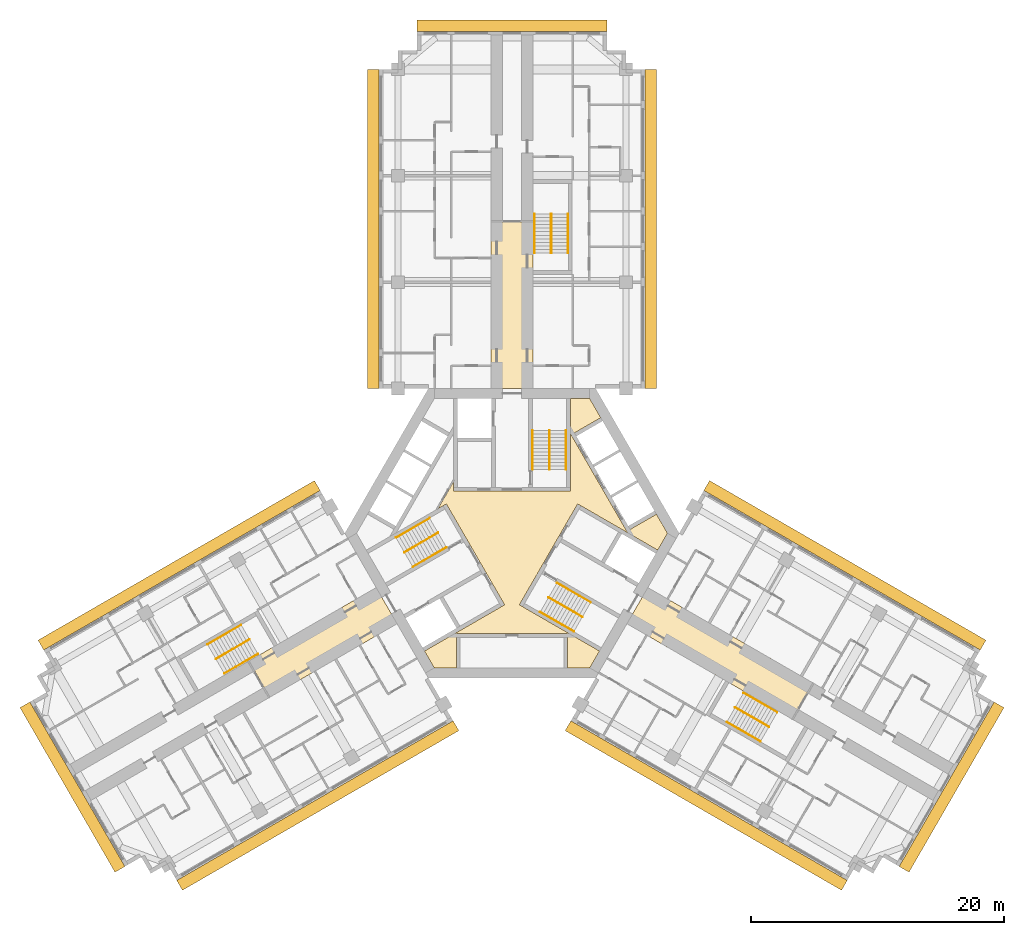
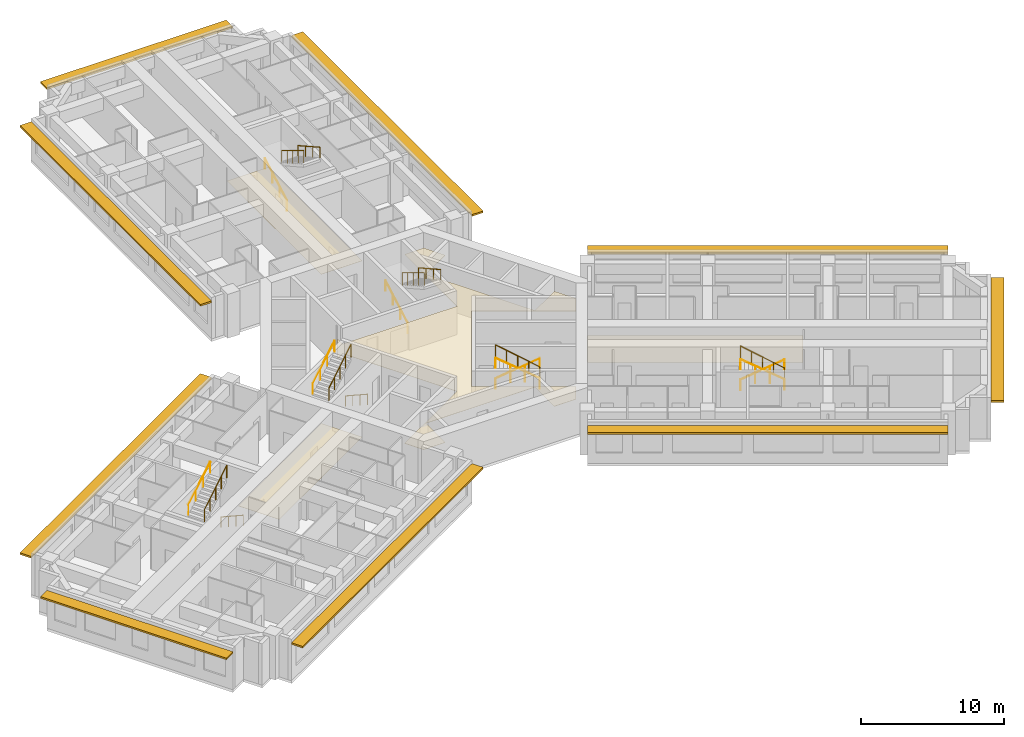
# One storey, part 12 of 12: 18 railings, 4 coverings, 3 shading devices.
"""IFC4 building model written with IfcOpenShell, lengths in metres."""

from ifc_helpers import new_model, si_unit, direction, frame, origin, origin_2d, place, context, subcontext, project, spatial, polyline, rectangle, circle, outline, extrude, material, layer, layer_set, type_object, element, save


model = new_model("IFC4")

# Units and contexts
model_context = context("Model", 3, precision=1e-05, world=origin(), true_north=direction((0.0, 1.0)))
body_context = subcontext(model_context, "Body", "Model", "MODEL_VIEW")
ifc_project = project(units=[si_unit("LENGTHUNIT", "METRE"), si_unit("AREAUNIT", "SQUARE_METRE"), si_unit("VOLUMEUNIT", "CUBIC_METRE"), si_unit("PLANEANGLEUNIT", "RADIAN"), si_unit("MASSUNIT", "GRAM", prefix="KILO")], contexts=[model_context])

# Site, building, storey
site_placement = place(None, origin())
site = spatial("IfcSite", under=ifc_project, at=site_placement, CompositionType="ELEMENT")
building_placement = place(site_placement, origin())
building = spatial("IfcBuilding", under=site, at=building_placement, Name="Impinga Residences", CompositionType="ELEMENT")
storey_placement = place(building_placement, frame((0.0, 0.0, 166.0)))
storey = spatial("IfcBuildingStorey", under=building, at=storey_placement, Name="L41", CompositionType="ELEMENT", Elevation=166.0)

# Coverings
ifc_material_1 = material(Name="Plasterboard 15 mm on steel hangers", Category="steel")
ifc_layer_1 = layer(ifc_material_1, 0.014892578125)
ifc_layer_set_1 = layer_set([ifc_layer_1], Name="Plasterboard 15 mm on steel hangers")
covering_type_1 = type_object("IfcCoveringType", Name="CL1 corridor ceiling, 15 mm plasterboard on hangers", PredefinedType="CEILING", material=ifc_layer_set_1)
covering_1_placement = place(storey_placement, frame((0.0, 0.0, 2.39990234375)))
element("IfcCovering", 1, at=covering_1_placement, inside=storey, type_object=covering_type_1, Name="Corridor ceiling CL1 L41-N00", PredefinedType="CEILING", context=body_context, shape_type="SweptSolid", body=[
    extrude(outline(polyline([(-1.64990234375, 11.431640625), (1.64990234375, 11.431640625), (1.64990234375, 24.58154296875), (-1.64990234375, 24.58154296875), (-1.64990234375, 11.431640625)])), origin(), (0.0, 0.0, 1.0), 0.01513671875),
])
covering_2_placement = place(storey_placement, frame((0.0, 0.0, 2.39990234375)))
element("IfcCovering", 2, at=covering_2_placement, inside=storey, type_object=covering_type_1, Name="Corridor ceiling CL1 L41-W00", PredefinedType="CEILING", context=body_context, shape_type="SweptSolid", body=[
    extrude(outline(polyline([(-10.72509765625, -4.286865234375), (-9.074951171875, -7.144775390625), (-19.121337890625, -12.94482421875), (-20.771240234375, -10.087158203125), (-10.72509765625, -4.286865234375)])), origin(), (0.0, 0.0, 1.0), 0.01513671875),
])
covering_3_placement = place(storey_placement, frame((0.0, 0.0, 2.39990234375)))
element("IfcCovering", 3, at=covering_3_placement, inside=storey, type_object=covering_type_1, Name="Corridor ceiling CL1 L41-E00", PredefinedType="CEILING", context=body_context, shape_type="SweptSolid", body=[
    extrude(outline(polyline([(9.074951171875, -7.144775390625), (10.72509765625, -4.286865234375), (23.759033203125, -11.81201171875), (22.109130859375, -14.669921875), (9.074951171875, -7.144775390625)])), origin(), (0.0, 0.0, 1.0), 0.01513671875),
])
ifc_material_2 = material(Name="Mineral fibre tiles 20 mm on exposed grid", Category="mineral fibre")
ifc_layer_2 = layer(ifc_material_2, 0.02001953125)
ifc_layer_set_2 = layer_set([ifc_layer_2], Name="CL2 lift lobby ceiling, 20 mm mineral fibre tiles")
covering_type_2 = type_object("IfcCoveringType", Name="CL2 lift lobby ceiling, 20 mm mineral fibre tiles", PredefinedType="CEILING", material=ifc_layer_set_2)
covering_4_placement = place(storey_placement, frame((0.0, 0.0, 2.39990234375)))
element("IfcCovering", 4, at=covering_4_placement, inside=storey, type_object=covering_type_2, Name="Lift lobby ceiling CL2 L41-C01", PredefinedType="CEILING", context=body_context, shape_type="SweptSolid", body=[
    extrude(outline(polyline([(5.183837890625, 2.318603515625), (0.583984375, -5.648681640625), (6.9072265625, -9.299560546875), (6.13818359375, -10.631591796875), (4.39990234375, -10.631591796875), (4.39990234375, -7.931640625), (-4.39990234375, -7.931640625), (-4.39990234375, -10.631591796875), (-6.13818359375, -10.631591796875), (-6.9072265625, -9.299560546875), (-0.583984375, -5.648681640625), (-5.183837890625, 2.318603515625), (-5.846923828125, 1.935791015625), (-4.60009765625, 4.095703125), (-4.60009765625, 3.330078125), (4.60009765625, 3.330078125), (4.60009765625, 10.631591796875), (6.13818359375, 10.631591796875), (7.007080078125, 9.126220703125), (4.6689453125, 7.7763671875), (9.06884765625, 0.1552734375), (11.4072265625, 1.50537109375), (12.276123046875, 0.0), (11.507080078125, -1.33203125), (5.183837890625, 2.318603515625)])), origin(), (0.0, 0.0, 1.0), 0.02001953125),
])

# Railings
ifc_material_3 = material(Name="Steel guard, powder coated", Category="steel")
railing_type_1 = type_object("IfcRailingType", Name="GR1 stair guard 1100", PredefinedType="GUARDRAIL", material=ifc_material_3)
railing_1_placement = place(storey_placement, frame((2.949951171875, 8.110107421875, 1.875)))
element("IfcRailing", 5, at=railing_1_placement, inside=storey, type_object=railing_type_1, Name="Stair guard GR1 ST1 L41", PredefinedType="GUARDRAIL", context=body_context, shape_type="SweptSolid", body=[
    extrude(circle(Radius=0.02392578125, at=origin_2d()), frame((0.0, 0.0, 1.076171875), z_axis=(0.0, -0.854177636135, 0.519981313056), x_axis=(1.0, 0.0, 0.0)), (0.0, 0.0, 1.0), 3.60595703125),
    extrude(circle(Radius=0.02099609375, at=origin_2d()), origin(), (0.0, 0.0, 1.0), 1.052001953125),
    extrude(circle(Radius=0.02099609375, at=origin_2d()), frame((0.0, -0.77001953125, 0.46875)), (0.0, 0.0, 1.0), 1.052001953125),
    extrude(circle(Radius=0.02099609375, at=origin_2d()), frame((0.0, -1.5400390625, 0.9375)), (0.0, 0.0, 1.0), 1.052001953125),
    extrude(circle(Radius=0.02099609375, at=origin_2d()), frame((0.0, -2.31005859375, 1.40625)), (0.0, 0.0, 1.0), 1.052001953125),
    extrude(circle(Radius=0.02099609375, at=origin_2d()), frame((0.0, -3.080078125, 1.875)), (0.0, 0.0, 1.0), 1.052001953125),
])
railing_2_placement = place(storey_placement, frame((-8.49853515625, -1.500244140625, 1.875)))
element("IfcRailing", 6, at=railing_2_placement, inside=storey, type_object=railing_type_1, Name="Stair guard GR1 ST2 L41", PredefinedType="GUARDRAIL", context=body_context, shape_type="SweptSolid", body=[
    extrude(circle(Radius=0.02392578125, at=origin_2d()), frame((0.0, 0.0, 1.076171875), z_axis=(0.739746383972, 0.427084037168, 0.519975492303), x_axis=(-0.499992328818, 0.866029832698, 0.0)), (0.0, 0.0, 1.0), 3.60595703125),
    extrude(circle(Radius=0.02099609375, at=origin_2d()), origin(), (0.0, 0.0, 1.0), 1.052001953125),
    extrude(circle(Radius=0.02099609375, at=origin_2d()), frame((0.6669921875, 0.385009765625, 0.46875)), (0.0, 0.0, 1.0), 1.052001953125),
    extrude(circle(Radius=0.02099609375, at=origin_2d()), frame((1.333740234375, 0.77001953125, 0.9375)), (0.0, 0.0, 1.0), 1.052001953125),
    extrude(circle(Radius=0.02099609375, at=origin_2d()), frame((2.00048828125, 1.155029296875, 1.40625)), (0.0, 0.0, 1.0), 1.052001953125),
    extrude(circle(Radius=0.02099609375, at=origin_2d()), frame((2.66748046875, 1.5400390625, 1.875)), (0.0, 0.0, 1.0), 1.052001953125),
])
railing_3_placement = place(storey_placement, frame((5.548583984375, -6.60986328125, 1.875)))
element("IfcRailing", 7, at=railing_3_placement, inside=storey, type_object=railing_type_1, Name="Stair guard GR1 ST3 L41", PredefinedType="GUARDRAIL", context=body_context, shape_type="SweptSolid", body=[
    extrude(circle(Radius=0.02392578125, at=origin_2d()), frame((0.0, 0.0, 1.076171875), z_axis=(-0.739746383972, 0.427084037168, 0.519975492303), x_axis=(-0.499992328818, -0.866029832698, 0.0)), (0.0, 0.0, 1.0), 3.60595703125),
    extrude(circle(Radius=0.02099609375, at=origin_2d()), origin(), (0.0, 0.0, 1.0), 1.052001953125),
    extrude(circle(Radius=0.02099609375, at=origin_2d()), frame((-0.6669921875, 0.385009765625, 0.46875)), (0.0, 0.0, 1.0), 1.052001953125),
    extrude(circle(Radius=0.02099609375, at=origin_2d()), frame((-1.333740234375, 0.77001953125, 0.9375)), (0.0, 0.0, 1.0), 1.052001953125),
    extrude(circle(Radius=0.02099609375, at=origin_2d()), frame((-2.00048828125, 1.155029296875, 1.40625)), (0.0, 0.0, 1.0), 1.052001953125),
    extrude(circle(Radius=0.02099609375, at=origin_2d()), frame((-2.66748046875, 1.5400390625, 1.875)), (0.0, 0.0, 1.0), 1.052001953125),
])
railing_4_placement = place(storey_placement, frame((3.10009765625, 25.21142578125, 1.875)))
element("IfcRailing", 8, at=railing_4_placement, inside=storey, type_object=railing_type_1, Name="Stair guard GR1 WS1 L41", PredefinedType="GUARDRAIL", context=body_context, shape_type="SweptSolid", body=[
    extrude(circle(Radius=0.02392578125, at=origin_2d()), frame((0.0, 0.0, 1.076171875), z_axis=(0.0, -0.854159328187, 0.520011386482), x_axis=(1.0, 0.0, 0.0)), (0.0, 0.0, 1.0), 3.605712890625),
    extrude(circle(Radius=0.02099609375, at=origin_2d()), origin(), (0.0, 0.0, 1.0), 1.052001953125),
    extrude(circle(Radius=0.02099609375, at=origin_2d()), frame((0.0, -0.77001953125, 0.46875)), (0.0, 0.0, 1.0), 1.052001953125),
    extrude(circle(Radius=0.02099609375, at=origin_2d()), frame((0.0, -1.5400390625, 0.9375)), (0.0, 0.0, 1.0), 1.052001953125),
    extrude(circle(Radius=0.02099609375, at=origin_2d()), frame((0.0, -2.309814453125, 1.40625)), (0.0, 0.0, 1.0), 1.052001953125),
    extrude(circle(Radius=0.02099609375, at=origin_2d()), frame((0.0, -3.079833984375, 1.875)), (0.0, 0.0, 1.0), 1.052001953125),
])
railing_5_placement = place(storey_placement, frame((-23.3837890625, -9.921142578125, 1.875)))
element("IfcRailing", 9, at=railing_5_placement, inside=storey, type_object=railing_type_1, Name="Stair guard GR1 WS2 L41", PredefinedType="GUARDRAIL", context=body_context, shape_type="SweptSolid", body=[
    extrude(circle(Radius=0.02392578125, at=origin_2d()), frame((0.0, 0.0, 1.076171875), z_axis=(0.739715726454, 0.427105428144, 0.52000153585), x_axis=(-0.500026652407, 0.866010015463, 0.0)), (0.0, 0.0, 1.0), 3.605712890625),
    extrude(circle(Radius=0.02099609375, at=origin_2d()), origin(), (0.0, 0.0, 1.0), 1.052001953125),
    extrude(circle(Radius=0.02099609375, at=origin_2d()), frame((0.666748046875, 0.385009765625, 0.46875)), (0.0, 0.0, 1.0), 1.052001953125),
    extrude(circle(Radius=0.02099609375, at=origin_2d()), frame((1.33349609375, 0.77001953125, 0.9375)), (0.0, 0.0, 1.0), 1.052001953125),
    extrude(circle(Radius=0.02099609375, at=origin_2d()), frame((2.00048828125, 1.155029296875, 1.40625)), (0.0, 0.0, 1.0), 1.052001953125),
    extrude(circle(Radius=0.02099609375, at=origin_2d()), frame((2.667236328125, 1.5400390625, 1.875)), (0.0, 0.0, 1.0), 1.052001953125),
])
railing_6_placement = place(storey_placement, frame((20.283935546875, -15.29052734375, 1.875)))
element("IfcRailing", 10, at=railing_6_placement, inside=storey, type_object=railing_type_1, Name="Stair guard GR1 WS3 L41", PredefinedType="GUARDRAIL", context=body_context, shape_type="SweptSolid", body=[
    extrude(circle(Radius=0.02392578125, at=origin_2d()), frame((0.0, 0.0, 1.076171875), z_axis=(-0.739746383972, 0.427084037168, 0.519975492303), x_axis=(-0.499992328818, -0.866029832698, 0.0)), (0.0, 0.0, 1.0), 3.60595703125),
    extrude(circle(Radius=0.02099609375, at=origin_2d()), origin(), (0.0, 0.0, 1.0), 1.052001953125),
    extrude(circle(Radius=0.02099609375, at=origin_2d()), frame((-0.6669921875, 0.385009765625, 0.46875)), (0.0, 0.0, 1.0), 1.052001953125),
    extrude(circle(Radius=0.02099609375, at=origin_2d()), frame((-1.333740234375, 0.77001953125, 0.9375)), (0.0, 0.0, 1.0), 1.052001953125),
    extrude(circle(Radius=0.02099609375, at=origin_2d()), frame((-2.00048828125, 1.155029296875, 1.40625)), (0.0, 0.0, 1.0), 1.052001953125),
    extrude(circle(Radius=0.02099609375, at=origin_2d()), frame((-2.66748046875, 1.5400390625, 1.875)), (0.0, 0.0, 1.0), 1.052001953125),
])
ifc_material_4 = material(Name="Steel handrail tube 42 mm, powder coated", Category="steel")
railing_type_2 = type_object("IfcRailingType", Name="HR1 stair handrail, 42 mm steel tube, 900 above the pitch line", PredefinedType="HANDRAIL", material=ifc_material_4)
railing_7_placement = place(storey_placement, frame((1.62109375, 5.030029296875, 0.15625)))
element("IfcRailing", 11, at=railing_7_placement, inside=storey, type_object=railing_type_2, Name="Stair handrail HR1 ST1 L41", PredefinedType="HANDRAIL", context=body_context, shape_type="SweptSolid", body=[
    extrude(circle(Radius=0.02099609375, at=origin_2d()), frame((0.0, 0.0, 0.87890625), z_axis=(0.0, 0.873241540666, 0.487287606713), x_axis=(-1.0, 0.0, 0.0)), (0.0, 0.0, 1.0), 3.527099609375),
    extrude(circle(Radius=0.012451171875, at=origin_2d()), origin(), (0.0, 0.0, 1.0), 0.85791015625),
    extrude(circle(Radius=0.012451171875, at=origin_2d()), frame((0.0, 1.026611328125, 0.572998046875)), (0.0, 0.0, 1.0), 0.85791015625),
    extrude(circle(Radius=0.012451171875, at=origin_2d()), frame((0.0, 2.053466796875, 1.145751953125)), (0.0, 0.0, 1.0), 0.85791015625),
    extrude(circle(Radius=0.012451171875, at=origin_2d()), frame((0.0, 3.080078125, 1.71875)), (0.0, 0.0, 1.0), 0.85791015625),
])
railing_8_placement = place(storey_placement, frame((4.279052734375, 8.110107421875, 2.03125)))
element("IfcRailing", 12, at=railing_8_placement, inside=storey, type_object=railing_type_2, Name="Stair handrail HR1 ST1 L41", PredefinedType="HANDRAIL", context=body_context, shape_type="SweptSolid", body=[
    extrude(circle(Radius=0.02099609375, at=origin_2d()), frame((0.0, 0.0, 0.87890625), z_axis=(0.0, -0.873241540666, 0.487287606713), x_axis=(1.0, 0.0, 0.0)), (0.0, 0.0, 1.0), 3.527099609375),
    extrude(circle(Radius=0.012451171875, at=origin_2d()), origin(), (0.0, 0.0, 1.0), 0.85791015625),
    extrude(circle(Radius=0.012451171875, at=origin_2d()), frame((0.0, -1.026611328125, 0.572998046875)), (0.0, 0.0, 1.0), 0.85791015625),
    extrude(circle(Radius=0.012451171875, at=origin_2d()), frame((0.0, -2.053466796875, 1.145751953125)), (0.0, 0.0, 1.0), 0.85791015625),
    extrude(circle(Radius=0.012451171875, at=origin_2d()), frame((0.0, -3.080078125, 1.71875)), (0.0, 0.0, 1.0), 0.85791015625),
])
railing_9_placement = place(storey_placement, frame((-5.16650390625, -1.111083984375, 0.15625)))
element("IfcRailing", 13, at=railing_9_placement, inside=storey, type_object=railing_type_2, Name="Stair handrail HR1 ST2 L41", PredefinedType="HANDRAIL", context=body_context, shape_type="SweptSolid", body=[
    extrude(circle(Radius=0.02099609375, at=origin_2d()), frame((0.0, 0.0, 0.87890625), z_axis=(-0.756255980417, -0.436615662133, 0.487281905742), x_axis=(0.499992328818, -0.866029832698, 0.0)), (0.0, 0.0, 1.0), 3.527099609375),
    extrude(circle(Radius=0.012451171875, at=origin_2d()), origin(), (0.0, 0.0, 1.0), 0.85791015625),
    extrude(circle(Radius=0.012451171875, at=origin_2d()), frame((-0.88916015625, -0.513427734375, 0.572998046875)), (0.0, 0.0, 1.0), 0.85791015625),
    extrude(circle(Radius=0.012451171875, at=origin_2d()), frame((-1.7783203125, -1.026611328125, 1.145751953125)), (0.0, 0.0, 1.0), 0.85791015625),
    extrude(circle(Radius=0.012451171875, at=origin_2d()), frame((-2.66748046875, -1.5400390625, 1.71875)), (0.0, 0.0, 1.0), 0.85791015625),
])
railing_10_placement = place(storey_placement, frame((-9.1630859375, -0.349365234375, 2.03125)))
element("IfcRailing", 14, at=railing_10_placement, inside=storey, type_object=railing_type_2, Name="Stair handrail HR1 ST2 L41", PredefinedType="HANDRAIL", context=body_context, shape_type="SweptSolid", body=[
    extrude(circle(Radius=0.02099609375, at=origin_2d()), frame((0.0, 0.0, 0.87890625), z_axis=(0.756255980417, 0.436615662133, 0.487281905742), x_axis=(-0.499992328818, 0.866029832698, 0.0)), (0.0, 0.0, 1.0), 3.527099609375),
    extrude(circle(Radius=0.012451171875, at=origin_2d()), origin(), (0.0, 0.0, 1.0), 0.85791015625),
    extrude(circle(Radius=0.012451171875, at=origin_2d()), frame((0.88916015625, 0.513427734375, 0.572998046875)), (0.0, 0.0, 1.0), 0.85791015625),
    extrude(circle(Radius=0.012451171875, at=origin_2d()), frame((1.7783203125, 1.026611328125, 1.145751953125)), (0.0, 0.0, 1.0), 0.85791015625),
    extrude(circle(Radius=0.012451171875, at=origin_2d()), frame((2.66748046875, 1.5400390625, 1.71875)), (0.0, 0.0, 1.0), 0.85791015625),
])
railing_11_placement = place(storey_placement, frame((3.545654296875, -3.9189453125, 0.15625)))
element("IfcRailing", 15, at=railing_11_placement, inside=storey, type_object=railing_type_2, Name="Stair handrail HR1 ST3 L41", PredefinedType="HANDRAIL", context=body_context, shape_type="SweptSolid", body=[
    extrude(circle(Radius=0.02099609375, at=origin_2d()), frame((0.0, 0.0, 0.87890625), z_axis=(0.756249203677, -0.436582492228, 0.487322141317), x_axis=(0.499967199496, 0.866044340336, 0.0)), (0.0, 0.0, 1.0), 3.52685546875),
    extrude(circle(Radius=0.012451171875, at=origin_2d()), origin(), (0.0, 0.0, 1.0), 0.85791015625),
    extrude(circle(Radius=0.012451171875, at=origin_2d()), frame((0.88916015625, -0.51318359375, 0.572998046875)), (0.0, 0.0, 1.0), 0.85791015625),
    extrude(circle(Radius=0.012451171875, at=origin_2d()), frame((1.778076171875, -1.026611328125, 1.145751953125)), (0.0, 0.0, 1.0), 0.85791015625),
    extrude(circle(Radius=0.012451171875, at=origin_2d()), frame((2.667236328125, -1.539794921875, 1.71875)), (0.0, 0.0, 1.0), 0.85791015625),
])
railing_12_placement = place(storey_placement, frame((4.884033203125, -7.7607421875, 2.03125)))
element("IfcRailing", 16, at=railing_12_placement, inside=storey, type_object=railing_type_2, Name="Stair handrail HR1 ST3 L41", PredefinedType="HANDRAIL", context=body_context, shape_type="SweptSolid", body=[
    extrude(circle(Radius=0.02099609375, at=origin_2d()), frame((0.0, 0.0, 0.87890625), z_axis=(-0.756255980417, 0.436615662133, 0.487281905742), x_axis=(-0.499992328818, -0.866029832698, 0.0)), (0.0, 0.0, 1.0), 3.527099609375),
    extrude(circle(Radius=0.012451171875, at=origin_2d()), origin(), (0.0, 0.0, 1.0), 0.85791015625),
    extrude(circle(Radius=0.012451171875, at=origin_2d()), frame((-0.88916015625, 0.513427734375, 0.572998046875)), (0.0, 0.0, 1.0), 0.85791015625),
    extrude(circle(Radius=0.012451171875, at=origin_2d()), frame((-1.7783203125, 1.026611328125, 1.145751953125)), (0.0, 0.0, 1.0), 0.85791015625),
    extrude(circle(Radius=0.012451171875, at=origin_2d()), frame((-2.66748046875, 1.5400390625, 1.71875)), (0.0, 0.0, 1.0), 0.85791015625),
])
railing_13_placement = place(storey_placement, frame((1.77099609375, 22.131591796875, 0.15625)))
element("IfcRailing", 17, at=railing_13_placement, inside=storey, type_object=railing_type_2, Name="Stair handrail HR1 WS1 L41", PredefinedType="HANDRAIL", context=body_context, shape_type="SweptSolid", body=[
    extrude(circle(Radius=0.02099609375, at=origin_2d()), frame((0.0, 0.0, 0.87890625), z_axis=(0.0, 0.873225103656, 0.487317061414), x_axis=(-1.0, 0.0, 0.0)), (0.0, 0.0, 1.0), 3.52685546875),
    extrude(circle(Radius=0.012451171875, at=origin_2d()), origin(), (0.0, 0.0, 1.0), 0.85791015625),
    extrude(circle(Radius=0.012451171875, at=origin_2d()), frame((0.0, 1.026611328125, 0.572998046875)), (0.0, 0.0, 1.0), 0.85791015625),
    extrude(circle(Radius=0.012451171875, at=origin_2d()), frame((0.0, 2.05322265625, 1.145751953125)), (0.0, 0.0, 1.0), 0.85791015625),
    extrude(circle(Radius=0.012451171875, at=origin_2d()), frame((0.0, 3.079833984375, 1.71875)), (0.0, 0.0, 1.0), 0.85791015625),
])
railing_14_placement = place(storey_placement, frame((4.428955078125, 25.21142578125, 2.03125)))
element("IfcRailing", 18, at=railing_14_placement, inside=storey, type_object=railing_type_2, Name="Stair handrail HR1 WS1 L41", PredefinedType="HANDRAIL", context=body_context, shape_type="SweptSolid", body=[
    extrude(circle(Radius=0.02099609375, at=origin_2d()), frame((0.0, 0.0, 0.87890625), z_axis=(0.0, -0.873225103656, 0.487317061414), x_axis=(1.0, 0.0, 0.0)), (0.0, 0.0, 1.0), 3.52685546875),
    extrude(circle(Radius=0.012451171875, at=origin_2d()), origin(), (0.0, 0.0, 1.0), 0.85791015625),
    extrude(circle(Radius=0.012451171875, at=origin_2d()), frame((0.0, -1.026611328125, 0.572998046875)), (0.0, 0.0, 1.0), 0.85791015625),
    extrude(circle(Radius=0.012451171875, at=origin_2d()), frame((0.0, -2.05322265625, 1.145751953125)), (0.0, 0.0, 1.0), 0.85791015625),
    extrude(circle(Radius=0.012451171875, at=origin_2d()), frame((0.0, -3.079833984375, 1.71875)), (0.0, 0.0, 1.0), 0.85791015625),
])
railing_15_placement = place(storey_placement, frame((-20.052001953125, -9.531982421875, 0.15625)))
element("IfcRailing", 19, at=railing_15_placement, inside=storey, type_object=railing_type_2, Name="Stair handrail HR1 WS2 L41", PredefinedType="HANDRAIL", context=body_context, shape_type="SweptSolid", body=[
    extrude(circle(Radius=0.02099609375, at=origin_2d()), frame((0.0, 0.0, 0.87890625), z_axis=(-0.756226348243, -0.436638517594, 0.487307413422), x_axis=(0.500026652407, -0.866010015463, 0.0)), (0.0, 0.0, 1.0), 3.527099609375),
    extrude(circle(Radius=0.012451171875, at=origin_2d()), origin(), (0.0, 0.0, 1.0), 0.85791015625),
    extrude(circle(Radius=0.012451171875, at=origin_2d()), frame((-0.88916015625, -0.513427734375, 0.572998046875)), (0.0, 0.0, 1.0), 0.85791015625),
    extrude(circle(Radius=0.012451171875, at=origin_2d()), frame((-1.778076171875, -1.026611328125, 1.145751953125)), (0.0, 0.0, 1.0), 0.85791015625),
    extrude(circle(Radius=0.012451171875, at=origin_2d()), frame((-2.667236328125, -1.5400390625, 1.71875)), (0.0, 0.0, 1.0), 0.85791015625),
])
railing_16_placement = place(storey_placement, frame((-24.04833984375, -8.77001953125, 2.03125)))
element("IfcRailing", 20, at=railing_16_placement, inside=storey, type_object=railing_type_2, Name="Stair handrail HR1 WS2 L41", PredefinedType="HANDRAIL", context=body_context, shape_type="SweptSolid", body=[
    extrude(circle(Radius=0.02099609375, at=origin_2d()), frame((0.0, 0.0, 0.87890625), z_axis=(0.756278834354, 0.436559638319, 0.487296631324), x_axis=(-0.499932877268, 0.866064153644, 0.0)), (0.0, 0.0, 1.0), 3.527099609375),
    extrude(circle(Radius=0.012451171875, at=origin_2d()), origin(), (0.0, 0.0, 1.0), 0.85791015625),
    extrude(circle(Radius=0.012451171875, at=origin_2d()), frame((0.88916015625, 0.51318359375, 0.572998046875)), (0.0, 0.0, 1.0), 0.85791015625),
    extrude(circle(Radius=0.012451171875, at=origin_2d()), frame((1.7783203125, 1.026611328125, 1.145751953125)), (0.0, 0.0, 1.0), 0.85791015625),
    extrude(circle(Radius=0.012451171875, at=origin_2d()), frame((2.66748046875, 1.539794921875, 1.71875)), (0.0, 0.0, 1.0), 0.85791015625),
])
railing_17_placement = place(storey_placement, frame((18.281005859375, -12.599609375, 0.15625)))
element("IfcRailing", 21, at=railing_17_placement, inside=storey, type_object=railing_type_2, Name="Stair handrail HR1 WS3 L41", PredefinedType="HANDRAIL", context=body_context, shape_type="SweptSolid", body=[
    extrude(circle(Radius=0.02099609375, at=origin_2d()), frame((0.0, 0.0, 0.87890625), z_axis=(0.756249203677, -0.436582492228, 0.487322141317), x_axis=(0.499967199496, 0.866044340336, 0.0)), (0.0, 0.0, 1.0), 3.52685546875),
    extrude(circle(Radius=0.012451171875, at=origin_2d()), origin(), (0.0, 0.0, 1.0), 0.85791015625),
    extrude(circle(Radius=0.012451171875, at=origin_2d()), frame((0.88916015625, -0.51318359375, 0.572998046875)), (0.0, 0.0, 1.0), 0.85791015625),
    extrude(circle(Radius=0.012451171875, at=origin_2d()), frame((1.778076171875, -1.026611328125, 1.145751953125)), (0.0, 0.0, 1.0), 0.85791015625),
    extrude(circle(Radius=0.012451171875, at=origin_2d()), frame((2.667236328125, -1.539794921875, 1.71875)), (0.0, 0.0, 1.0), 0.85791015625),
])
railing_18_placement = place(storey_placement, frame((19.619384765625, -16.44140625, 2.03125)))
element("IfcRailing", 22, at=railing_18_placement, inside=storey, type_object=railing_type_2, Name="Stair handrail HR1 WS3 L41", PredefinedType="HANDRAIL", context=body_context, shape_type="SweptSolid", body=[
    extrude(circle(Radius=0.02099609375, at=origin_2d()), frame((0.0, 0.0, 0.87890625), z_axis=(-0.756255980417, 0.436615662133, 0.487281905742), x_axis=(-0.499992328818, -0.866029832698, 0.0)), (0.0, 0.0, 1.0), 3.527099609375),
    extrude(circle(Radius=0.012451171875, at=origin_2d()), origin(), (0.0, 0.0, 1.0), 0.85791015625),
    extrude(circle(Radius=0.012451171875, at=origin_2d()), frame((-0.88916015625, 0.513427734375, 0.572998046875)), (0.0, 0.0, 1.0), 0.85791015625),
    extrude(circle(Radius=0.012451171875, at=origin_2d()), frame((-1.7783203125, 1.026611328125, 1.145751953125)), (0.0, 0.0, 1.0), 0.85791015625),
    extrude(circle(Radius=0.012451171875, at=origin_2d()), frame((-2.66748046875, 1.5400390625, 1.71875)), (0.0, 0.0, 1.0), 0.85791015625),
])

# Shading devices
ifc_material_5 = material(Name="Terracotta sunshade blades on aluminium brackets", Category="masonry")
ifc_layer_3 = layer(ifc_material_5, 0.14990234375)
ifc_layer_set_3 = layer_set([ifc_layer_3], Name="SS1 SUNSHADE terracotta sunshade band 900")
shading_device_type = type_object("IfcShadingDeviceType", Name="SS1 SUNSHADE terracotta sunshade band 900", PredefinedType="USERDEFINED", material=ifc_layer_set_3)
shading_device_1_placement = place(storey_placement, frame((-10.949951171875, 24.031494140625, 3.10009765625), z_axis=(0.0, 0.0, 1.0), x_axis=(0.0, 1.0, 0.0)))
element("IfcShadingDevice", 23, at=shading_device_1_placement, inside=storey, type_object=shading_device_type, Name="SUNSHADE band L41 NORTH WING", ObjectType="SUNSHADE", PredefinedType="USERDEFINED", context=body_context, shape_type="SweptSolid", body=[
    extrude(rectangle(XDim=25.199951171875, YDim=0.89990234375, at=origin_2d()), origin(), (0.0, 0.0, 1.0), 0.14990234375),
    extrude(rectangle(XDim=15.0, YDim=0.89990234375, at=origin_2d()), frame((16.050048828125, -10.949951171875, 0.0), z_axis=(0.0, 0.0, 1.0), x_axis=(0.0, -1.0, 0.0)), (0.0, 0.0, 1.0), 0.14990234375),
    extrude(rectangle(XDim=25.199951171875, YDim=0.89990234375, at=origin_2d()), frame((0.0, -21.89990234375, 0.0), z_axis=(0.0, 0.0, 1.0), x_axis=(-1.0, 0.0, 0.0)), (0.0, 0.0, 1.0), 0.14990234375),
])
shading_device_2_placement = place(storey_placement, frame((-34.711669921875, -20.040771484375, 3.10009765625), z_axis=(0.0, 0.0, 1.0), x_axis=(-0.5, 0.866025403784, 0.0)))
element("IfcShadingDevice", 24, at=shading_device_2_placement, inside=storey, type_object=shading_device_type, Name="SUNSHADE band L41 WEST WING", ObjectType="SUNSHADE", PredefinedType="USERDEFINED", context=body_context, shape_type="SweptSolid", body=[
    extrude(rectangle(XDim=15.0, YDim=0.89990234375, at=origin_2d()), origin(), (0.0, 0.0, 1.0), 0.14990234375),
    extrude(rectangle(XDim=25.199951171875, YDim=0.89990234375, at=origin_2d()), frame((10.949951171875, -16.050048828125, 0.0), z_axis=(0.0, 0.0, 1.0), x_axis=(0.0, -1.0, 0.0)), (0.0, 0.0, 1.0), 0.14990234375),
    extrude(rectangle(XDim=25.199951171875, YDim=0.89990234375, at=origin_2d()), frame((-10.949951171875, -16.050048828125, 0.0), z_axis=(0.0, 0.0, 1.0), x_axis=(0.0, 1.0, 0.0)), (0.0, 0.0, 1.0), 0.14990234375),
])
shading_device_3_placement = place(storey_placement, frame((26.286865234375, -2.53271484375, 3.10009765625), z_axis=(0.0, 0.0, 1.0), x_axis=(0.866025403784, -0.5, 0.0)))
element("IfcShadingDevice", 25, at=shading_device_3_placement, inside=storey, type_object=shading_device_type, Name="SUNSHADE band L41 EAST WING", ObjectType="SUNSHADE", PredefinedType="USERDEFINED", context=body_context, shape_type="SweptSolid", body=[
    extrude(rectangle(XDim=25.199951171875, YDim=0.89990234375, at=origin_2d()), origin(), (0.0, 0.0, 1.0), 0.14990234375),
    extrude(rectangle(XDim=15.0, YDim=0.89990234375, at=origin_2d()), frame((16.050048828125, -10.949951171875, 0.0), z_axis=(0.0, 0.0, 1.0), x_axis=(0.0, -1.0, 0.0)), (0.0, 0.0, 1.0), 0.14990234375),
    extrude(rectangle(XDim=25.199951171875, YDim=0.89990234375, at=origin_2d()), frame((0.0, -21.900146484375, 0.0), z_axis=(0.0, 0.0, 1.0), x_axis=(-1.0, 0.0, 0.0)), (0.0, 0.0, 1.0), 0.14990234375),
])

save(model, "model.ifc")
